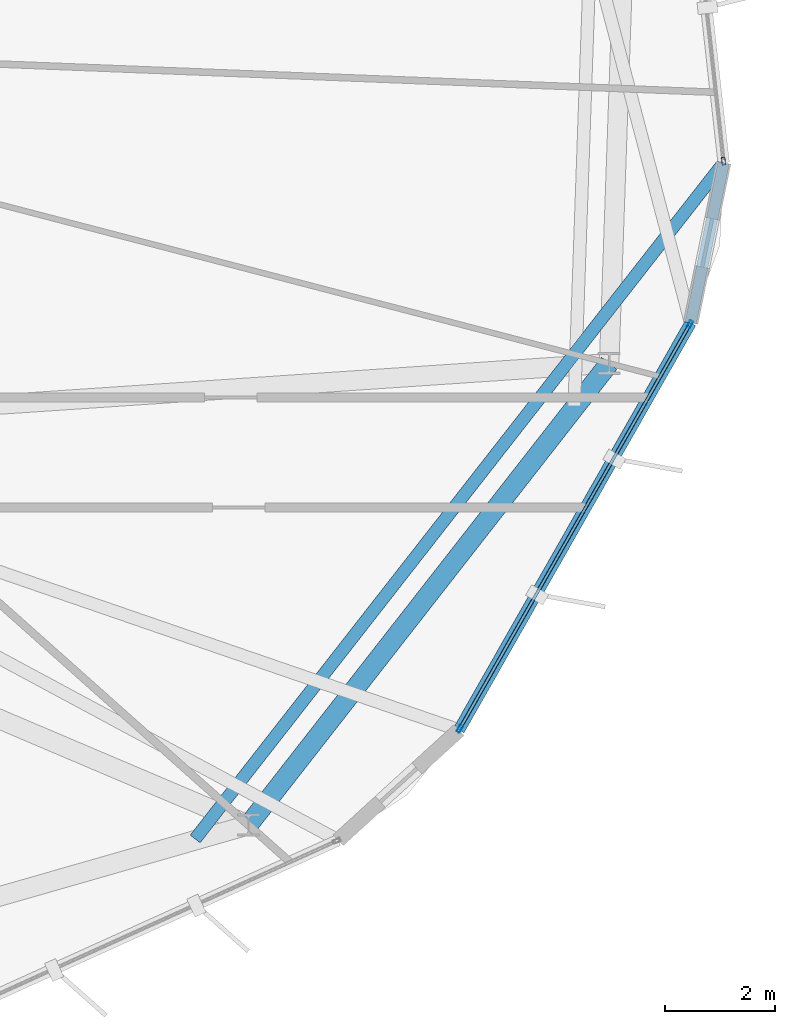
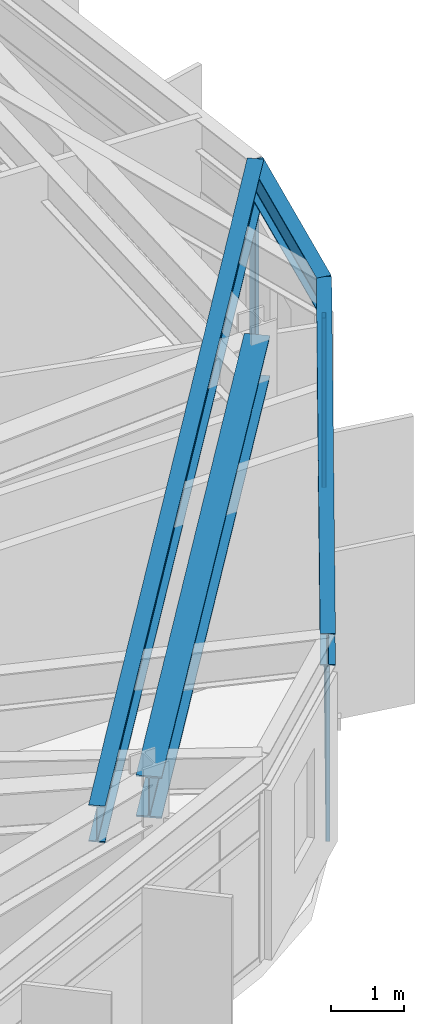
# One storey, part 10 of 23: 6 members, 4 beams, 2 elements without a shape of their own.
"""IFC4 building model written with IfcOpenShell, lengths in metres."""

from ifc_helpers import new_model, si_unit, direction, frame, origin, origin_2d, place, context, subcontext, project, spatial, hollow_rectangle, i_section, extrude, material, layer, layer_set, material_profile, profile_set, type_object, element, aggregate, save


model = new_model("IFC4")

# Units and contexts
model_context = context("Model", 3, precision=1e-05, world=origin(), true_north=direction((0.0, 1.0)))
body_context = subcontext(model_context, "Body", "Model", "MODEL_VIEW")
ifc_project = project(units=[si_unit("LENGTHUNIT", "METRE"), si_unit("AREAUNIT", "SQUARE_METRE"), si_unit("VOLUMEUNIT", "CUBIC_METRE"), si_unit("PLANEANGLEUNIT", "RADIAN"), si_unit("MASSUNIT", "GRAM", prefix="KILO")], contexts=[model_context])

# Site, building, storey
site_placement = place(None, origin())
site = spatial("IfcSite", under=ifc_project, at=site_placement, CompositionType="ELEMENT")
building_placement = place(site_placement, origin())
building = spatial("IfcBuilding", under=site, at=building_placement, Name="Soratama Intermodal Tower", CompositionType="ELEMENT")
storey_placement = place(building_placement, frame((0.0, 0.0, 257.5)))
storey = spatial("IfcBuildingStorey", under=building, at=storey_placement, Name="L65", CompositionType="ELEMENT", Elevation=257.5)

# Beams
ifc_material_1 = material(Name="Structural steel ASTM A992 Grade 50", Category="steel")
ifc_material_profile_1 = material_profile(ifc_material_1, i_section(OverallWidth=0.35498046875, OverallDepth=0.695068359375, WebThickness=0.015380859375, FlangeThickness=0.02490234375, FilletRadius=0.01611328125, at=origin_2d()), Name="W27X146")
ifc_profile_set_1 = profile_set([ifc_material_profile_1], Name="Structural steel ASTM A992 Grade 50")
beam_type_1 = type_object("IfcBeamType", Name="BM-RING-W27X146", PredefinedType="BEAM", material=ifc_profile_set_1)
beam_1_placement = place(storey_placement, frame((54.617919921875, 10.740966796875, 3.1025390625), z_axis=(0.6157278291, 0.787958907858, 0.0), x_axis=(-0.787958907858, 0.6157278291, 0.0)))
element("IfcBeam", 1, at=beam_1_placement, inside=storey, type_object=beam_type_1, Name="BM-L65-RING-09", PredefinedType="BEAM", context=body_context, shape_type="SweptSolid", body=[
    extrude(i_section(OverallWidth=0.35498046875, OverallDepth=0.695068359375, WebThickness=0.015380859375, FlangeThickness=0.02490234375, FilletRadius=0.01611328125, at=origin_2d()), origin(), (0.0, 0.0, 1.0), 10.6298828125),
])
ifc_material_2 = material(Name="Structural steel ASTM A992 Grade 50", Category="steel")
ifc_material_profile_2 = material_profile(ifc_material_2, i_section(OverallWidth=0.2099609375, OverallDepth=0.537109375, WebThickness=0.010986328125, FlangeThickness=0.017333984375, FilletRadius=0.012939453125, at=origin_2d()), Name="W21X68")
ifc_profile_set_2 = profile_set([ifc_material_profile_2], Name="Structural steel ASTM A992 Grade 50")
beam_type_2 = type_object("IfcBeamType", Name="BM-SPN-W21X68", PredefinedType="SPANDREL", material=ifc_profile_set_2)
beam_2_placement = place(storey_placement, frame((58.43798828125, 12.464111328125, 3.181396484375), z_axis=(0.494628627686, 0.869104435999, 0.0), x_axis=(-0.869104435999, 0.494628627686, 0.0)))
element("IfcBeam", 2, at=beam_2_placement, inside=storey, type_object=beam_type_2, Name="BS-L65-F08", PredefinedType="SPANDREL", context=body_context, shape_type="SweptSolid", body=[
    extrude(i_section(OverallWidth=0.2099609375, OverallDepth=0.537109375, WebThickness=0.010986328125, FlangeThickness=0.017333984375, FilletRadius=0.012939453125, at=origin_2d()), origin(), (0.0, 0.0, 1.0), 8.49951171875),
])
beam_3_placement = place(storey_placement, frame((62.64208984375, 19.85107421875, 3.181396484375), z_axis=(0.201840973594, 0.97941830766, 0.0), x_axis=(-0.97941830766, 0.201840973594, 0.0)))
element("IfcBeam", 3, at=beam_3_placement, inside=storey, type_object=beam_type_2, Name="BS-L65-CRN08", PredefinedType="SPANDREL", context=body_context, shape_type="SweptSolid", body=[
    extrude(i_section(OverallWidth=0.2099609375, OverallDepth=0.537109375, WebThickness=0.010986328125, FlangeThickness=0.017333984375, FilletRadius=0.012939453125, at=origin_2d()), origin(), (0.0, 0.0, 1.0), 2.967041015625),
])
ifc_material_3 = material(Name="Structural steel ASTM A992 Grade 50", Category="steel")
ifc_material_profile_3 = material_profile(ifc_material_3, i_section(OverallWidth=0.22900390625, OverallDepth=0.612060546875, WebThickness=0.011962890625, FlangeThickness=0.01953125, FilletRadius=0.012939453125, at=origin_2d()), Name="W24X84")
ifc_profile_set_3 = profile_set([ifc_material_profile_3], Name="Structural steel ASTM A992 Grade 50")
beam_type_3 = type_object("IfcBeamType", Name="BM-TIE-W24X84", PredefinedType="BEAM", material=ifc_profile_set_3)
beam_4_placement = place(storey_placement, frame((53.65087890625, 10.488037109375, 3.14404296875), z_axis=(0.615839344199, 0.787871754879, 0.0), x_axis=(-0.787871754879, 0.615839344199, 0.0)))
element("IfcBeam", 4, at=beam_4_placement, inside=storey, type_object=beam_type_3, Name="BM-L65-TIE0-09", PredefinedType="BEAM", context=body_context, shape_type="SweptSolid", body=[
    extrude(i_section(OverallWidth=0.22900390625, OverallDepth=0.612060546875, WebThickness=0.011962890625, FlangeThickness=0.01953125, FilletRadius=0.012939453125, at=origin_2d()), origin(), (0.0, 0.0, 1.0), 15.572265625),
])

# Curtain wall, members
ifc_material_4 = material(Name="Double-glazed aluminium curtain wall", Category="aluminium")
ifc_layer = layer(ifc_material_4, 0.159912109375)
ifc_layer_set = layer_set([ifc_layer], Name="Double-glazed aluminium curtain wall")
curtain_wall_type = type_object("IfcCurtainWallType", Name="CW-SYS-5", PredefinedType="NOTDEFINED", material=ifc_layer_set)
curtain_wall_1_placement = place(storey_placement, origin())
curtain_wall_1 = element("IfcCurtainWall", 5, at=curtain_wall_1_placement, inside=storey, type_object=curtain_wall_type, Name="L65 Faceted Curtain Wall F08", PredefinedType="NOTDEFINED")
ifc_material_5 = material(Name="Anodised aluminium AA 6063-T6", Category="aluminium")
ifc_material_profile_4 = material_profile(ifc_material_5, hollow_rectangle(XDim=0.06494140625, YDim=0.139892578125, WallThickness=0.0048828125, InnerFilletRadius=0.0048828125, OuterFilletRadius=0.010009765625, at=origin_2d()), Name="CWM140X65X5")
ifc_profile_set_4 = profile_set([ifc_material_profile_4], Name="Anodised aluminium AA 6063-T6")
member_type_1 = type_object("IfcMemberType", Name="MT-CWM-5", PredefinedType="MULLION", material=ifc_profile_set_4)
member_1_placement = place(storey_placement, frame((58.453369140625, 12.48974609375, 0.0), z_axis=(0.0, 0.0, 1.0), x_axis=(-0.869148137926, 0.494551831803, 0.0)))
member_1 = element("IfcMember", 6, at=member_1_placement, type_object=member_type_1, Name="CW-5 mullion 1", PredefinedType="MULLION", context=body_context, shape_type="SweptSolid", body=[
    extrude(hollow_rectangle(XDim=0.06494140625, YDim=0.139892578125, WallThickness=0.0048828125, InnerFilletRadius=0.0048828125, OuterFilletRadius=0.010009765625, at=origin_2d()), origin(), (0.0, 0.0, 1.0), 2.8291015625),
])
member_2_placement = place(storey_placement, frame((62.627197265625, 19.8251953125, 0.0), z_axis=(0.0, 0.0, 1.0), x_axis=(-0.869148137926, 0.494551831803, 0.0)))
member_2 = element("IfcMember", 7, at=member_2_placement, type_object=member_type_1, Name="CW-5 mullion 2", PredefinedType="MULLION", context=body_context, shape_type="SweptSolid", body=[
    extrude(hollow_rectangle(XDim=0.06494140625, YDim=0.139892578125, WallThickness=0.0048828125, InnerFilletRadius=0.0048828125, OuterFilletRadius=0.010009765625, at=origin_2d()), origin(), (0.0, 0.0, 1.0), 2.8291015625),
])

# Curtain wall, member
curtain_wall_2_placement = place(storey_placement, origin())
curtain_wall_2 = element("IfcCurtainWall", 8, at=curtain_wall_2_placement, inside=storey, type_object=curtain_wall_type, Name="L65 Faceted Curtain Wall F09", PredefinedType="NOTDEFINED")
member_3_placement = place(storey_placement, frame((63.2373046875, 22.78662109375, 0.0), z_axis=(0.0, 0.0, 1.0), x_axis=(-0.993845079163, -0.110778872636, 0.0)))
member_3 = element("IfcMember", 9, at=member_3_placement, type_object=member_type_1, Name="CW-5 mullion 1", PredefinedType="MULLION", context=body_context, shape_type="SweptSolid", body=[
    extrude(hollow_rectangle(XDim=0.06494140625, YDim=0.139892578125, WallThickness=0.0048828125, InnerFilletRadius=0.0048828125, OuterFilletRadius=0.010009765625, at=origin_2d()), origin(), (0.0, 0.0, 1.0), 2.8291015625),
])
aggregate(curtain_wall_2, [member_3])

# Member
ifc_material_6 = material(Name="Anodised aluminium AA 6063-T6", Category="aluminium")
ifc_material_profile_5 = material_profile(ifc_material_6, hollow_rectangle(XDim=0.06005859375, YDim=0.1298828125, WallThickness=0.0048828125, InnerFilletRadius=0.0048828125, OuterFilletRadius=0.010009765625, at=origin_2d()), Name="CWT130X60X5")
ifc_profile_set_5 = profile_set([ifc_material_profile_5], Name="Anodised aluminium AA 6063-T6")
member_type_2 = type_object("IfcMemberType", Name="TT-CWT-2", PredefinedType="USERDEFINED", material=ifc_profile_set_5)
member_4_placement = place(storey_placement, frame((58.46826171875, 12.515869140625, 0.030029296875), z_axis=(0.494559919592, 0.869143535863, 0.0), x_axis=(-0.869143535863, 0.494559919592, 0.0)))
member_4 = element("IfcMember", 10, at=member_4_placement, type_object=member_type_2, Name="CW-5 transom 1.1", ObjectType="TRANSOM", PredefinedType="USERDEFINED", context=body_context, shape_type="SweptSolid", body=[
    extrude(hollow_rectangle(XDim=0.06005859375, YDim=0.1298828125, WallThickness=0.0048828125, InnerFilletRadius=0.0048828125, OuterFilletRadius=0.010009765625, at=origin_2d()), origin(), (0.0, 0.0, 1.0), 8.379638671875),
])

member_5_placement = place(storey_placement, frame((58.46826171875, 12.515869140625, 2.14990234375), z_axis=(0.494559919592, 0.869143535863, 0.0), x_axis=(-0.869143535863, 0.494559919592, 0.0)))
member_5 = element("IfcMember", 11, at=member_5_placement, type_object=member_type_2, Name="CW-5 transom 1.2", ObjectType="TRANSOM", PredefinedType="USERDEFINED", context=body_context, shape_type="SweptSolid", body=[
    extrude(hollow_rectangle(XDim=0.06005859375, YDim=0.1298828125, WallThickness=0.0048828125, InnerFilletRadius=0.0048828125, OuterFilletRadius=0.010009765625, at=origin_2d()), origin(), (0.0, 0.0, 1.0), 8.379638671875),
])

member_6_placement = place(storey_placement, frame((58.46826171875, 12.515869140625, 2.799072265625), z_axis=(0.494559919592, 0.869143535863, 0.0), x_axis=(-0.869143535863, 0.494559919592, 0.0)))
member_6 = element("IfcMember", 12, at=member_6_placement, type_object=member_type_2, Name="CW-5 transom 1.3", ObjectType="TRANSOM", PredefinedType="USERDEFINED", context=body_context, shape_type="SweptSolid", body=[
    extrude(hollow_rectangle(XDim=0.06005859375, YDim=0.1298828125, WallThickness=0.0048828125, InnerFilletRadius=0.0048828125, OuterFilletRadius=0.010009765625, at=origin_2d()), origin(), (0.0, 0.0, 1.0), 8.379638671875),
])

aggregate(curtain_wall_1, [member_1, member_2, member_4, member_5, member_6])

save(model, "model.ifc")
